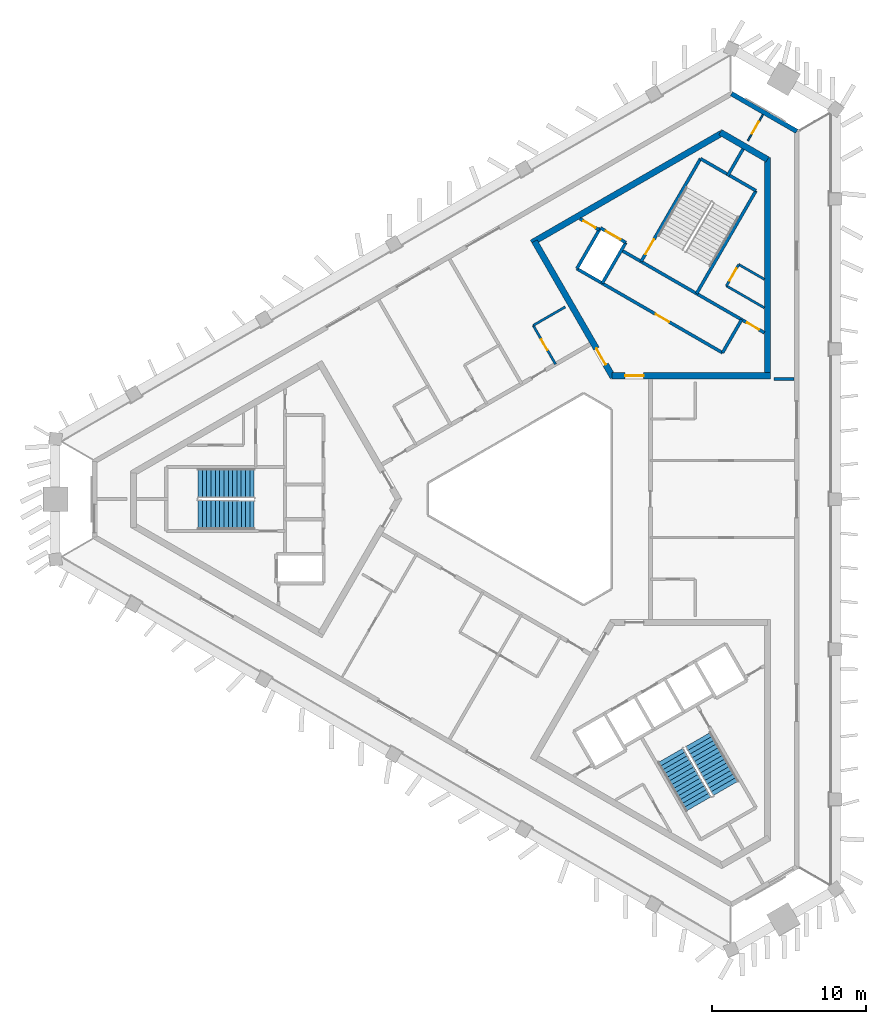
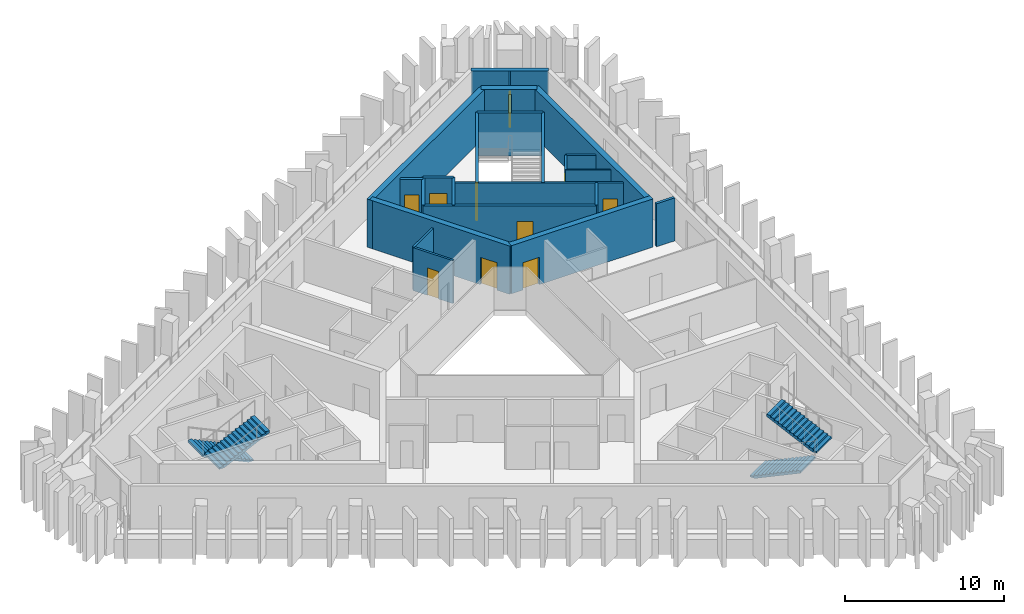
# One storey, part 5 of 9: 24 walls, 10 doors, 4 stair flights, 10 openings, 2 elements without a shape of their own.
"""IFC4 building model written with IfcOpenShell, lengths in metres."""

import ifcopenshell
import ifcopenshell.guid

model = None  # the IFC model being written
_history = None  # IfcOwnerHistory: only IFC2X3 demands one
_inside = {}  # id of a spatial element -> (the spatial element, [elements in it])
_under = {}  # id of a project, library or spatial element -> (it, [spatial elements below it])
_declared = {}  # id of a project -> (the project, [libraries it declares])
_typed = {}  # id of a type object -> (the type object, [elements of that type])
_made_of = {}  # id of a material, layer set ... -> (it, [elements and type objects made of it])


def new_model(schema):
    """Start an empty IFC model of exactly this schema.

    Asked for "IFC4X3", IfcOpenShell would pick the latest addendum, in which some entities
    have other attributes; the version numbers below select the first issue.
    IFC2X3 requires an IfcOwnerHistory on every rooted entity: one is made here for all.
    """
    global model, _history
    if schema == "IFC4X3":
        model = ifcopenshell.file(schema_version=(4, 3, 0, 0))
    else:
        model = ifcopenshell.file(schema=schema)
    _inside.clear()
    _under.clear()
    _declared.clear()
    _typed.clear()
    _made_of.clear()
    _history = None
    if model.schema == "IFC2X3":
        org = make("IfcOrganization", Name="unknown")
        user = make(
            "IfcPersonAndOrganization",
            ThePerson=make("IfcPerson", FamilyName="unknown"),
            TheOrganization=org,
        )
        app = make(
            "IfcApplication",
            ApplicationDeveloper=org,
            Version="unknown",
            ApplicationFullName="unknown",
            ApplicationIdentifier="unknown",
        )
        _history = make(
            "IfcOwnerHistory",
            OwningUser=user,
            OwningApplication=app,
            ChangeAction="ADDED",
            CreationDate=0,
        )
    return model


def make(cls, **values):
    """One entity of the class cls with the attributes given. An attribute that is None is left unset."""
    return model.create_entity(
        cls, **{name: value for name, value in values.items() if value is not None}
    )


def rooted(cls, **values):
    """An entity with a GlobalId (a new one), such as an element, a storey or a relation."""
    return make(cls, GlobalId=ifcopenshell.guid.new(), OwnerHistory=_history, **values)


def si_unit(unit_type, name, prefix=None):
    """IfcSIUnit, for example si_unit("LENGTHUNIT", "METRE", prefix="MILLI")."""
    return make("IfcSIUnit", UnitType=unit_type, Prefix=prefix, Name=name)


def assignment(units):
    """IfcUnitAssignment: the units of a project."""
    return None if units is None else make("IfcUnitAssignment", Units=units)


def point(xyz):
    """IfcCartesianPoint."""
    return None if xyz is None else make("IfcCartesianPoint", Coordinates=xyz)


def direction(xyz):
    """IfcDirection."""
    return None if xyz is None else make("IfcDirection", DirectionRatios=xyz)


def frame(location, z_axis=None, x_axis=None):
    """IfcAxis2Placement3D, a coordinate frame: its origin and axes. An axis left out is left unset."""
    return make(
        "IfcAxis2Placement3D",
        Location=point(location),
        Axis=direction(z_axis),
        RefDirection=direction(x_axis),
    )


def frame_2d(location, x_axis=None):
    """IfcAxis2Placement2D, a coordinate frame in the plane: its origin and x axis."""
    return make(
        "IfcAxis2Placement2D", Location=point(location), RefDirection=direction(x_axis)
    )


def origin():
    """The frame at (0, 0, 0) with its axes left unset."""
    return frame((0.0, 0.0, 0.0))


def place(relative_to, where):
    """IfcLocalPlacement: puts the frame where relative to a parent placement (None: the world)."""
    return make(
        "IfcLocalPlacement", PlacementRelTo=relative_to, RelativePlacement=where
    )


def context(
    kind, dimensions, precision=None, world=None, true_north=None, identifier=None
):
    """IfcGeometricRepresentationContext, for example the 3D "Model" context."""
    return make(
        "IfcGeometricRepresentationContext",
        ContextIdentifier=identifier,
        ContextType=kind,
        CoordinateSpaceDimension=dimensions,
        Precision=precision,
        WorldCoordinateSystem=world,
        TrueNorth=true_north,
    )


def subcontext(parent, identifier, kind, view, scale=None):
    """IfcGeometricRepresentationSubContext, for example "Body" below "Model"."""
    return make(
        "IfcGeometricRepresentationSubContext",
        ContextIdentifier=identifier,
        ContextType=kind,
        ParentContext=parent,
        TargetScale=scale,
        TargetView=view,
    )


def project(units=None, contexts=None):
    """IfcProject with its units and contexts."""
    return rooted(
        "IfcProject",
        Name="project",
        RepresentationContexts=contexts,
        UnitsInContext=assignment(units),
    )


def spatial(cls, under=None, at=None, **own):
    """A site, building, storey or space (cls), placed at a placement, below another one or the project."""
    s = rooted(cls, ObjectPlacement=at, **own)
    if under is not None:
        _under.setdefault(under.id(), (under, []))[1].append(s)
    return s


def polyline(points):
    """IfcPolyline through the points."""
    return make("IfcPolyline", Points=[point(p) for p in points])


def profile(cls, at=None, kind="AREA", **sizes):
    """A parametric profile (cls). Its sizes go by their IFC names, for example OverallWidth=200.0."""
    return make(cls, ProfileType=kind, Position=at, **sizes)


def rectangle(**sizes):
    """IfcRectangleProfileDef."""
    return profile("IfcRectangleProfileDef", **sizes)


def outline(outer, holes=None, kind="AREA"):
    """IfcArbitraryClosedProfileDef: a profile drawn as a closed curve; with holes, ...WithVoids."""
    if holes is None:
        return make("IfcArbitraryClosedProfileDef", ProfileType=kind, OuterCurve=outer)
    return make(
        "IfcArbitraryProfileDefWithVoids",
        ProfileType=kind,
        OuterCurve=outer,
        InnerCurves=holes,
    )


def extrude(swept, where, along, depth):
    """IfcExtrudedAreaSolid: the profile swept, set in the frame where, extruded along a direction by depth."""
    return make(
        "IfcExtrudedAreaSolid",
        SweptArea=swept,
        Position=where,
        ExtrudedDirection=direction(along),
        Depth=depth,
    )


def shape(context_of_items, identifier, shape_type, items):
    """IfcShapeRepresentation: the items that make up one representation, for example the "Body"."""
    return make(
        "IfcShapeRepresentation",
        ContextOfItems=context_of_items,
        RepresentationIdentifier=identifier,
        RepresentationType=shape_type,
        Items=items,
    )


def material(Name=None, Category=None):
    """IfcMaterial."""
    return make("IfcMaterial", Name=Name, Category=Category)


def layer(
    of_material, thickness, ventilated=None, Name=None, Category=None, Priority=None
):
    """IfcMaterialLayer: one layer of a wall or slab, of a material (None: an air gap)."""
    return make(
        "IfcMaterialLayer",
        Material=of_material,
        LayerThickness=thickness,
        IsVentilated=ventilated,
        Name=Name,
        Category=Category,
        Priority=Priority,
    )


def layer_set(layers, Name=None):
    """IfcMaterialLayerSet."""
    return make("IfcMaterialLayerSet", MaterialLayers=layers, LayerSetName=Name)


def made_of(thing, what):
    """Note that an element or type object is made of a material, layer set ...; save() writes the relation."""
    if what is not None:
        _made_of.setdefault(what.id(), (what, []))[1].append(thing)
    return thing


def type_object(cls, material=None, **own):
    """A type object (cls), such as IfcWallType, which elements share."""
    return made_of(rooted(cls, **own), material)


def element(
    cls,
    number,
    at=None,
    inside=None,
    cuts=None,
    type_object=None,
    material=None,
    context=None,
    identifier="Body",
    shape_type=None,
    held_by="IfcProductDefinitionShape",
    body=None,
    shapes=None,
    **own,
):
    """One element of the class cls, such as IfcWall. Its Tag is "e" and its number.

    at: its placement. inside: the storey or other place that contains it. cuts: it is an
    opening in that element (IfcRelVoidsElement). A single representation is given by context,
    identifier, shape_type and body (its items); several are given by shapes. held_by: the class
    of the entity that holds the representations. save() writes the other relations.
    """
    e = rooted(cls, Tag="e%d" % number, ObjectPlacement=at, **own)
    if body is not None:
        shapes = [shape(context, identifier, shape_type, body)]
    if shapes is not None:
        e.Representation = make(held_by, Representations=shapes)
    if inside is not None:
        _inside.setdefault(inside.id(), (inside, []))[1].append(e)
    if cuts is not None:
        rooted(
            "IfcRelVoidsElement", RelatingBuildingElement=cuts, RelatedOpeningElement=e
        )
    if type_object is not None:
        _typed.setdefault(type_object.id(), (type_object, []))[1].append(e)
    return made_of(e, material)


def fill(opening, filler):
    """IfcRelFillsElement: the door or window that sits in an opening."""
    return rooted(
        "IfcRelFillsElement",
        RelatingOpeningElement=opening,
        RelatedBuildingElement=filler,
    )


def aggregate(whole, parts):
    """IfcRelAggregates: a whole, such as a stair, and the parts it consists of."""
    return rooted("IfcRelAggregates", RelatingObject=whole, RelatedObjects=parts)


def save(model, path):
    """Write the relations noted so far, then the file.

    IfcRelAggregates (storeys below a building ...), IfcRelContainedInSpatialStructure (elements
    in a storey), IfcRelDefinesByType, IfcRelAssociatesMaterial and IfcRelDeclares: one each for
    every whole, place, type object, material and project.
    """
    for whole, parts in _under.values():
        aggregate(whole, parts)
    for where, things in _inside.values():
        rooted(
            "IfcRelContainedInSpatialStructure",
            RelatedElements=things,
            RelatingStructure=where,
        )
    for kind, things in _typed.values():
        rooted("IfcRelDefinesByType", RelatedObjects=things, RelatingType=kind)
    for what, things in _made_of.values():
        rooted("IfcRelAssociatesMaterial", RelatedObjects=things, RelatingMaterial=what)
    for by, libraries in _declared.values():
        rooted("IfcRelDeclares", RelatingContext=by, RelatedDefinitions=libraries)
    model.write(path)


model = new_model("IFC4")

# Units and contexts
model_context = context("Model", 3, precision=1e-05, world=origin(), true_north=direction((0.0, 1.0)))
body_context = subcontext(model_context, "Body", "Model", "MODEL_VIEW")
ifc_project = project(units=[si_unit("LENGTHUNIT", "METRE"), si_unit("AREAUNIT", "SQUARE_METRE"), si_unit("VOLUMEUNIT", "CUBIC_METRE"), si_unit("PLANEANGLEUNIT", "RADIAN"), si_unit("MASSUNIT", "GRAM", prefix="KILO")], contexts=[model_context])

# Site, building, storey
site_placement = place(None, origin())
site = spatial("IfcSite", under=ifc_project, at=site_placement, CompositionType="ELEMENT")
building_placement = place(site_placement, origin())
building = spatial("IfcBuilding", under=site, at=building_placement, Name="Jabali Bay Hotel Tower and Convention Centre", CompositionType="ELEMENT")
storey_placement = place(building_placement, frame((0.0, 0.0, 273.800048828125)))
storey = spatial("IfcBuildingStorey", under=building, at=storey_placement, Name="L67", CompositionType="ELEMENT", Elevation=273.800048828125)

# Wall
ifc_material_1 = material(Name="Concrete C40", Category="concrete")
ifc_layer_1 = layer(ifc_material_1, 0.199951171875)
ifc_layer_set_1 = layer_set([ifc_layer_1], Name="Concrete C40")
wall_type_1 = type_object("IfcWallType", Name="Core partition wall 200", PredefinedType="PARTITIONING", material=ifc_layer_set_1)
wall_1_placement = place(storey_placement, frame((87.090087890625, 100.9404296875, 0.0), z_axis=(0.0, 0.0, 1.0), x_axis=(0.499941815747, 0.866058993873, 0.0)))
element("IfcWall", 1, at=wall_1_placement, inside=storey, type_object=wall_type_1, Name="Core wall 1.3 L67", PredefinedType="PARTITIONING", context=body_context, shape_type="SweptSolid", body=[
    extrude(rectangle(XDim=2.023193359375, YDim=0.199951171875, at=frame_2d((1.01171875, 0.0))), origin(), (0.0, 0.0, 1.0), 3.300048828125),
])

# Wall, opening, door
wall_2_placement = place(storey_placement, frame((78.7802734375, 97.447509765625, 0.0), z_axis=(0.0, 0.0, 1.0), x_axis=(-0.866045896294, 0.499964504253, 0.0)))
wall_2 = element("IfcWall", 2, at=wall_2_placement, inside=storey, type_object=wall_type_1, Name="Core wall 1.9 L67", PredefinedType="PARTITIONING", context=body_context, shape_type="SweptSolid", body=[
    extrude(rectangle(XDim=1.455078125, YDim=0.199951171875, at=frame_2d((0.7275390625, 0.0))), origin(), (0.0, 0.0, 1.0), 3.300048828125),
])
opening_1_placement = place(wall_2_placement, frame((0.277587890625, 0.0, 0.0)))
opening_1 = element("IfcOpeningElement", 3, at=opening_1_placement, cuts=wall_2, Name="Opening D1481", PredefinedType="OPENING", context=body_context, shape_type="SweptSolid", body=[
    extrude(rectangle(XDim=0.89990234375, YDim=2.10009765625, at=frame_2d((0.449951171875, 1.050048828125))), frame((0.0, 0.1103515625, 0.0), z_axis=(0.0, -1.0, 0.0), x_axis=(1.0, 0.0, 0.0)), (0.0, 0.0, 1.0), 0.220947265625),
])
ifc_material_2 = material(Name="Fire-rated steel door", Category="steel")
door_type_1 = type_object("IfcDoorType", Name="Vestibule fire door 900 x 2100", OperationType="NOTDEFINED", PredefinedType="NOTDEFINED", material=ifc_material_2)
door_1_placement = place(opening_1_placement, origin())
door_1 = element("IfcDoor", 4, at=door_1_placement, inside=storey, type_object=door_type_1, Name="Vestibule fire door D1481", OperationType="SINGLE_SWING_LEFT", OverallHeight=2.10009765625, OverallWidth=0.89990234375, PredefinedType="NOTDEFINED", context=body_context, shape_type="SweptSolid", body=[
    extrude(rectangle(XDim=0.89990234375, YDim=2.10009765625, at=frame_2d((0.449951171875, 1.050048828125))), frame((0.0, 0.02490234375, 0.0), z_axis=(0.0, -1.0, 0.0), x_axis=(1.0, 0.0, 0.0)), (0.0, 0.0, 1.0), 0.050048828125),
])
fill(opening_1, door_1)

ifc_material_3 = material(Name="Fire-rated board partition")
ifc_layer_2 = layer(ifc_material_3, 0.14990234375)
ifc_layer_set_2 = layer_set([ifc_layer_2], Name="Fire-rated board partition")
wall_type_2 = type_object("IfcWallType", Name="Core room partition 150", PredefinedType="PARTITIONING", material=ifc_layer_set_2)
wall_3_placement = place(storey_placement, frame((87.02099609375, 93.821044921875, 0.0), z_axis=(0.0, 0.0, 1.0), x_axis=(0.499995408039, 0.866028054938, 0.0)))
wall_3 = element("IfcWall", 5, at=wall_3_placement, inside=storey, type_object=wall_type_2, Name="Core wall 1.1 L67", PredefinedType="PARTITIONING", context=body_context, shape_type="SweptSolid", body=[
    extrude(rectangle(XDim=1.60009765625, YDim=0.14990234375, at=frame_2d((0.800048828125, 0.0))), origin(), (0.0, 0.0, 1.0), 3.300048828125),
])
opening_2_placement = place(wall_3_placement, frame((0.387451171875, 0.0, 0.0)))
opening_2 = element("IfcOpeningElement", 6, at=opening_2_placement, cuts=wall_3, Name="Opening D1484", PredefinedType="OPENING", context=body_context, shape_type="SweptSolid", body=[
    extrude(rectangle(XDim=0.89990234375, YDim=2.10009765625, at=frame_2d((0.449951171875, 1.050048828125))), frame((0.0, 0.08544921875, 0.0), z_axis=(0.0, -1.0, 0.0), x_axis=(1.0, 0.0, 0.0)), (0.0, 0.0, 1.0), 0.1708984375),
])
door_type_2 = type_object("IfcDoorType", Name="Core room door 900 x 2100", OperationType="NOTDEFINED", PredefinedType="NOTDEFINED", material=ifc_material_2)
door_2_placement = place(opening_2_placement, origin())
door_2 = element("IfcDoor", 7, at=door_2_placement, inside=storey, type_object=door_type_2, Name="Core room door D1484", OperationType="SINGLE_SWING_LEFT", OverallHeight=2.10009765625, OverallWidth=0.89990234375, PredefinedType="NOTDEFINED", context=body_context, shape_type="SweptSolid", body=[
    extrude(rectangle(XDim=0.89990234375, YDim=2.10009765625, at=frame_2d((0.449951171875, 1.050048828125))), frame((0.0, 0.02490234375, 0.0), z_axis=(0.0, -1.0, 0.0), x_axis=(1.0, 0.0, 0.0)), (0.0, 0.0, 1.0), 0.050048828125),
])
fill(opening_2, door_2)

# Walls
wall_4_placement = place(storey_placement, frame((89.47998046875, 92.4013671875, 0.0), z_axis=(0.0, 0.0, 1.0), x_axis=(-0.866028081176, 0.499995362593, 0.0)))
element("IfcWall", 8, at=wall_4_placement, inside=storey, type_object=wall_type_2, Name="Core wall 1.11 L67", PredefinedType="PARTITIONING", context=body_context, shape_type="SweptSolid", body=[
    extrude(rectangle(XDim=2.83935546875, YDim=0.14990234375, at=frame_2d((1.419677734375, 0.0))), origin(), (0.0, 0.0, 1.0), 3.300048828125),
])
wall_5_placement = place(storey_placement, frame((89.47998046875, 94.2490234375, 0.0), z_axis=(0.0, 0.0, 1.0), x_axis=(-0.866030650962, 0.499990911512, 0.0)))
element("IfcWall", 9, at=wall_5_placement, inside=storey, type_object=wall_type_2, Name="Core wall 1.12 L67", PredefinedType="PARTITIONING", context=body_context, shape_type="SweptSolid", body=[
    extrude(rectangle(XDim=1.91552734375, YDim=0.14990234375, at=frame_2d((0.957763671875, 0.0))), origin(), (0.0, 0.0, 1.0), 3.300048828125),
])
ifc_layer_3 = layer(ifc_material_1, 0.199951171875)
ifc_layer_set_3 = layer_set([ifc_layer_3], Name="Concrete C40")
wall_type_3 = type_object("IfcWallType", Name="Core stair wall 200", PredefinedType="SOLIDWALL", material=ifc_layer_set_3)
wall_6_placement = place(storey_placement, frame((86.769775390625, 89.48583984375, 0.0), z_axis=(0.0, 0.0, 1.0), x_axis=(0.499961042966, 0.86604789447, 0.0)))
element("IfcWall", 10, at=wall_6_placement, inside=storey, type_object=wall_type_3, Name="Core wall 1.0 L67", PredefinedType="SOLIDWALL", context=body_context, shape_type="SweptSolid", body=[
    extrude(rectangle(XDim=2.480224609375, YDim=0.199951171875, at=frame_2d((1.240234375, 0.0))), origin(), (0.0, 0.0, 1.0), 3.300048828125),
])
wall_7_placement = place(storey_placement, frame((85.0869140625, 93.3212890625, 0.0), z_axis=(0.0, 0.0, 1.0), x_axis=(0.500019787375, 0.866013979237, 0.0)))
element("IfcWall", 11, at=wall_7_placement, inside=storey, type_object=wall_type_3, Name="Core wall 1.2 L67", PredefinedType="SOLIDWALL", context=body_context, shape_type="SweptSolid", body=[
    extrude(rectangle(XDim=7.699951171875, YDim=0.199951171875, at=frame_2d((3.85009765625, 0.0))), origin(), (0.0, 0.0, 1.0), 3.300048828125),
])

# Wall, opening, door
wall_8_placement = place(storey_placement, frame((81.492919921875, 95.396240234375, 0.0), z_axis=(0.0, 0.0, 1.0), x_axis=(0.500006057782, 0.866021906294, 0.0)))
wall_8 = element("IfcWall", 12, at=wall_8_placement, inside=storey, type_object=wall_type_3, Name="Core wall 1.4 L67", PredefinedType="SOLIDWALL", context=body_context, shape_type="SweptSolid", body=[
    extrude(rectangle(XDim=7.7001953125, YDim=0.199951171875, at=frame_2d((3.85009765625, 0.0))), origin(), (0.0, 0.0, 1.0), 3.300048828125),
])
opening_3_placement = place(wall_8_placement, frame((0.550048828125, 0.0, 0.0)))
opening_3 = element("IfcOpeningElement", 13, at=opening_3_placement, cuts=wall_8, Name="Opening D1483", PredefinedType="OPENING", context=body_context, shape_type="SweptSolid", body=[
    extrude(rectangle(XDim=1.10009765625, YDim=2.10009765625, at=frame_2d((0.550048828125, 1.050048828125))), frame((0.0, 0.1103515625, 0.0), z_axis=(0.0, -1.0, 0.0), x_axis=(1.0, 0.0, 0.0)), (0.0, 0.0, 1.0), 0.220947265625),
])
door_type_3 = type_object("IfcDoorType", Name="Stair fire door 1100 x 2100", OperationType="NOTDEFINED", PredefinedType="NOTDEFINED", material=ifc_material_2)
door_3_placement = place(opening_3_placement, origin())
door_3 = element("IfcDoor", 14, at=door_3_placement, inside=storey, type_object=door_type_3, Name="Stair fire door D1483", OperationType="SINGLE_SWING_RIGHT", OverallHeight=2.10009765625, OverallWidth=1.10009765625, PredefinedType="NOTDEFINED", context=body_context, shape_type="SweptSolid", body=[
    extrude(rectangle(XDim=1.10009765625, YDim=2.10009765625, at=frame_2d((0.550048828125, 1.050048828125))), frame((0.0, 0.02490234375, 0.0), z_axis=(0.0, -1.0, 0.0), x_axis=(1.0, 0.0, 0.0)), (0.0, 0.0, 1.0), 0.050048828125),
])
fill(opening_3, door_3)

# Walls
for number, where, z_axis, x_axis, name in (
    (15, (78.9755859375, 93.98583984375, 0.0), (0.0, 0.0, 1.0), (0.499944174705, 0.866057632134, 0.0), "Core wall 1.5 L67"),
    (16, (77.330078125, 94.93603515625, 0.0), (0.0, 0.0, 1.0), (0.500038867431, 0.8660029625, 0.0), "Core wall 1.6 L67"),
):
    element("IfcWall", number, at=place(storey_placement, frame(where, z_axis=z_axis, x_axis=x_axis)), inside=storey, type_object=wall_type_3, Name=name, PredefinedType="SOLIDWALL", context=body_context, shape_type="SweptSolid", body=[
        extrude(rectangle(XDim=3.050048828125, YDim=0.199951171875, at=frame_2d((1.52490234375, 0.0))), origin(), (0.0, 0.0, 1.0), 3.300048828125),
    ])

# Wall, opening, door
wall_9_placement = place(storey_placement, frame((86.769775390625, 89.48583984375, 0.0), z_axis=(0.0, 0.0, 1.0), x_axis=(-0.86601811187, 0.500012629753, 0.0)))
wall_9 = element("IfcWall", 17, at=wall_9_placement, inside=storey, type_object=wall_type_3, Name="Core wall 1.7 L67", PredefinedType="SOLIDWALL", context=body_context, shape_type="SweptSolid", body=[
    extrude(rectangle(XDim=10.900146484375, YDim=0.199951171875, at=frame_2d((5.4501953125, 0.0))), origin(), (0.0, 0.0, 1.0), 3.300048828125),
])
opening_4_placement = place(wall_9_placement, frame((4.0, 0.0, 0.0)))
opening_4 = element("IfcOpeningElement", 18, at=opening_4_placement, cuts=wall_9, Name="Opening D1480", PredefinedType="OPENING", context=body_context, shape_type="SweptSolid", body=[
    extrude(rectangle(XDim=1.0, YDim=2.10009765625, at=frame_2d((0.5, 1.050048828125))), frame((0.0, 0.1103515625, 0.0), z_axis=(0.0, -1.0, 0.0), x_axis=(1.0, 0.0, 0.0)), (0.0, 0.0, 1.0), 0.220947265625),
])
door_type_4 = type_object("IfcDoorType", Name="Core room door 1000 x 2100", OperationType="NOTDEFINED", PredefinedType="NOTDEFINED", material=ifc_material_2)
door_4_placement = place(opening_4_placement, origin())
door_4 = element("IfcDoor", 19, at=door_4_placement, inside=storey, type_object=door_type_4, Name="Core room door D1480", OperationType="SINGLE_SWING_RIGHT", OverallHeight=2.10009765625, OverallWidth=1.0, PredefinedType="NOTDEFINED", context=body_context, shape_type="SweptSolid", body=[
    extrude(rectangle(XDim=1.0, YDim=2.10009765625, at=frame_2d((0.5, 1.050048828125))), frame((0.0, 0.02490234375, 0.0), z_axis=(0.0, -1.0, 0.0), x_axis=(1.0, 0.0, 0.0)), (0.0, 0.0, 1.0), 0.050048828125),
])
fill(opening_4, door_4)

wall_10_placement = place(storey_placement, frame((89.47998046875, 90.784912109375, 0.0), z_axis=(0.0, 0.0, 1.0), x_axis=(-0.866022544512, 0.500004952373, 0.0)))
wall_10 = element("IfcWall", 20, at=wall_10_placement, inside=storey, type_object=wall_type_3, Name="Core wall 1.8 L67", PredefinedType="SOLIDWALL", context=body_context, shape_type="SweptSolid", body=[
    extrude(rectangle(XDim=10.69775390625, YDim=0.199951171875, at=frame_2d((5.348876953125, 0.0))), origin(), (0.0, 0.0, 1.0), 3.300048828125),
])
opening_5_placement = place(wall_10_placement, frame((0.398681640625, 0.0, 0.0)))
opening_5 = element("IfcOpeningElement", 21, at=opening_5_placement, cuts=wall_10, Name="Opening D1482", PredefinedType="OPENING", context=body_context, shape_type="SweptSolid", body=[
    extrude(rectangle(XDim=0.89990234375, YDim=2.10009765625, at=frame_2d((0.449951171875, 1.050048828125))), frame((0.0, 0.1103515625, 0.0), z_axis=(0.0, -1.0, 0.0), x_axis=(1.0, 0.0, 0.0)), (0.0, 0.0, 1.0), 0.220947265625),
])
door_5_placement = place(opening_5_placement, origin())
door_5 = element("IfcDoor", 22, at=door_5_placement, inside=storey, type_object=door_type_1, Name="Vestibule fire door D1482", OperationType="SINGLE_SWING_LEFT", OverallHeight=2.10009765625, OverallWidth=0.89990234375, PredefinedType="NOTDEFINED", context=body_context, shape_type="SweptSolid", body=[
    extrude(rectangle(XDim=0.89990234375, YDim=2.10009765625, at=frame_2d((0.449951171875, 1.050048828125))), frame((0.0, 0.02490234375, 0.0), z_axis=(0.0, -1.0, 0.0), x_axis=(1.0, 0.0, 0.0)), (0.0, 0.0, 1.0), 0.050048828125),
])
fill(opening_5, door_5)

wall_11_placement = place(storey_placement, frame((80.50048828125, 96.62744140625, 0.0), z_axis=(0.0, 0.0, 1.0), x_axis=(-0.86601224135, 0.500022797313, 0.0)))
wall_11 = element("IfcWall", 23, at=wall_11_placement, inside=storey, type_object=wall_type_3, Name="Core wall 1.10 L67", PredefinedType="SOLIDWALL", context=body_context, shape_type="SweptSolid", body=[
    extrude(rectangle(XDim=1.89990234375, YDim=0.199951171875, at=frame_2d((0.949951171875, 0.0))), origin(), (0.0, 0.0, 1.0), 3.300048828125),
])
opening_6_placement = place(wall_11_placement, frame((0.39990234375, 0.0, 0.0)))
opening_6 = element("IfcOpeningElement", 24, at=opening_6_placement, cuts=wall_11, Name="Opening LD10-L67", PredefinedType="OPENING", context=body_context, shape_type="SweptSolid", body=[
    extrude(rectangle(XDim=1.10009765625, YDim=2.10009765625, at=frame_2d((0.550048828125, 1.050048828125))), frame((0.0, 0.1103515625, 0.0), z_axis=(0.0, -1.0, 0.0), x_axis=(1.0, 0.0, 0.0)), (0.0, 0.0, 1.0), 0.220947265625),
])
ifc_material_4 = material(Name="Stainless steel landing door", Category="steel")
door_type_5 = type_object("IfcDoorType", Name="Landing door 1100 x 2100", OperationType="NOTDEFINED", PredefinedType="NOTDEFINED", material=ifc_material_4)
door_6_placement = place(opening_6_placement, origin())
door_6 = element("IfcDoor", 25, at=door_6_placement, inside=storey, type_object=door_type_5, Name="Landing doors LD10-L67", OperationType="SLIDING_TO_RIGHT", OverallHeight=2.10009765625, OverallWidth=1.10009765625, PredefinedType="NOTDEFINED", context=body_context, shape_type="SweptSolid", body=[
    extrude(rectangle(XDim=1.10009765625, YDim=2.10009765625, at=frame_2d((0.550048828125, 1.050048828125))), frame((0.0, 0.02490234375, 0.0), z_axis=(0.0, -1.0, 0.0), x_axis=(1.0, 0.0, 0.0)), (0.0, 0.0, 1.0), 0.050048828125),
])
fill(opening_6, door_6)

# Wall
wall_12_placement = place(storey_placement, frame((88.93701171875, 99.989501953125, 0.0), z_axis=(0.0, 0.0, 1.0), x_axis=(-0.866004344652, 0.500036473714, 0.0)))
element("IfcWall", 26, at=wall_12_placement, inside=storey, type_object=wall_type_3, Name="Core wall 1.13 L67", PredefinedType="SOLIDWALL", context=body_context, shape_type="SweptSolid", body=[
    extrude(rectangle(XDim=4.150146484375, YDim=0.199951171875, at=frame_2d((2.0751953125, 0.0))), origin(), (0.0, 0.0, 1.0), 3.300048828125),
])

# Wall, opening, door
ifc_material_5 = material(Name="Concrete C60", Category="concrete")
ifc_layer_4 = layer(ifc_material_5, 0.39990234375)
ifc_layer_set_4 = layer_set([ifc_layer_4], Name="Concrete C60")
wall_type_4 = type_object("IfcWallType", Name="Core wall 400", PredefinedType="SHEAR", material=ifc_layer_set_4)
wall_13_placement = place(storey_placement, frame((79.615478515625, 87.994140625, 0.0), z_axis=(0.0, 0.0, 1.0), x_axis=(1.0, 0.0, 0.0)))
wall_13 = element("IfcWall", 27, at=wall_13_placement, inside=storey, type_object=wall_type_4, Name="Core wall 2.1 L67", PredefinedType="SHEAR", context=body_context, shape_type="SweptSolid", body=[
    extrude(rectangle(XDim=10.264404296875, YDim=0.39990234375, at=frame_2d((5.13232421875, 0.0))), origin(), (0.0, 0.0, 1.0), 3.699951171875),
])
opening_7_placement = place(wall_13_placement, frame((0.83447265625, 0.0, 0.0)))
opening_7 = element("IfcOpeningElement", 28, at=opening_7_placement, cuts=wall_13, Name="Opening D1478", PredefinedType="OPENING", context=body_context, shape_type="SweptSolid", body=[
    extrude(rectangle(XDim=1.199951171875, YDim=2.10009765625, at=frame_2d((0.60009765625, 1.050048828125))), frame((0.0, 0.21044921875, 0.0), z_axis=(0.0, -1.0, 0.0), x_axis=(1.0, 0.0, 0.0)), (0.0, 0.0, 1.0), 0.4208984375),
])
door_type_6 = type_object("IfcDoorType", Name="Corridor end fire door 1200 x 2100", OperationType="NOTDEFINED", PredefinedType="NOTDEFINED", material=ifc_material_2)
door_7_placement = place(opening_7_placement, origin())
door_7 = element("IfcDoor", 29, at=door_7_placement, inside=storey, type_object=door_type_6, Name="Corridor end fire door D1478", OperationType="SINGLE_SWING_RIGHT", OverallHeight=2.10009765625, OverallWidth=1.199951171875, PredefinedType="NOTDEFINED", context=body_context, shape_type="SweptSolid", body=[
    extrude(rectangle(XDim=1.199951171875, YDim=2.10009765625, at=frame_2d((0.60009765625, 1.050048828125))), frame((0.0, 0.02490234375, 0.0), z_axis=(0.0, -1.0, 0.0), x_axis=(1.0, 0.0, 0.0)), (0.0, 0.0, 1.0), 0.050048828125),
])
fill(opening_7, door_7)

# Walls
wall_14_placement = place(storey_placement, frame((89.679931640625, 87.994140625, 0.0), z_axis=(0.0, 0.0, 1.0), x_axis=(0.0, 1.0, 0.0)))
element("IfcWall", 30, at=wall_14_placement, inside=storey, type_object=wall_type_4, Name="Core wall 2.2 L67", PredefinedType="SHEAR", context=body_context, shape_type="SweptSolid", body=[
    extrude(rectangle(XDim=14.133544921875, YDim=0.39990234375, at=frame_2d((7.06689453125, 0.0))), origin(), (0.0, 0.0, 1.0), 3.699951171875),
])
wall_15_placement = place(storey_placement, frame((89.679931640625, 102.01220703125, 0.0), z_axis=(0.0, 0.0, 1.0), x_axis=(-0.866025485263, 0.499999858875, 0.0)))
element("IfcWall", 31, at=wall_15_placement, inside=storey, type_object=wall_type_4, Name="Core wall 2.3 L67", PredefinedType="SHEAR", context=body_context, shape_type="SweptSolid", body=[
    extrude(rectangle(XDim=3.52978515625, YDim=0.39990234375, at=frame_2d((1.764892578125, 0.0))), origin(), (0.0, 0.0, 1.0), 3.699951171875),
])
wall_16_placement = place(storey_placement, frame((86.72314453125, 103.71923828125, 0.0), z_axis=(0.0, 0.0, 1.0), x_axis=(-0.866030317223, -0.499991489579, 0.0)))
element("IfcWall", 32, at=wall_16_placement, inside=storey, type_object=wall_type_4, Name="Core wall 2.4 L67", PredefinedType="SHEAR", context=body_context, shape_type="SweptSolid", body=[
    extrude(rectangle(XDim=14.218017578125, YDim=0.39990234375, at=frame_2d((7.10888671875, 0.0))), origin(), (0.0, 0.0, 1.0), 3.699951171875),
])

# Wall, opening, door
wall_17_placement = place(storey_placement, frame((74.583251953125, 96.71044921875, 0.0), z_axis=(0.0, 0.0, 1.0), x_axis=(0.499987488796, -0.866032627011, 0.0)))
wall_17 = element("IfcWall", 33, at=wall_17_placement, inside=storey, type_object=wall_type_4, Name="Core wall 2.5 L67", PredefinedType="SHEAR", context=body_context, shape_type="SweptSolid", body=[
    extrude(rectangle(XDim=10.179931640625, YDim=0.39990234375, at=frame_2d((5.08984375, 0.0))), origin(), (0.0, 0.0, 1.0), 3.699951171875),
])
opening_8_placement = place(wall_17_placement, frame((8.030029296875, 0.0, 0.0)))
opening_8 = element("IfcOpeningElement", 34, at=opening_8_placement, cuts=wall_17, Name="Opening D1479", PredefinedType="OPENING", context=body_context, shape_type="SweptSolid", body=[
    extrude(rectangle(XDim=1.199951171875, YDim=2.10009765625, at=frame_2d((0.60009765625, 1.050048828125))), frame((0.0, 0.21044921875, 0.0), z_axis=(0.0, -1.0, 0.0), x_axis=(1.0, 0.0, 0.0)), (0.0, 0.0, 1.0), 0.4208984375),
])
door_8_placement = place(opening_8_placement, origin())
door_8 = element("IfcDoor", 35, at=door_8_placement, inside=storey, type_object=door_type_6, Name="Corridor end fire door D1479", OperationType="SINGLE_SWING_LEFT", OverallHeight=2.10009765625, OverallWidth=1.199951171875, PredefinedType="NOTDEFINED", context=body_context, shape_type="SweptSolid", body=[
    extrude(rectangle(XDim=1.199951171875, YDim=2.10009765625, at=frame_2d((0.60009765625, 1.050048828125))), frame((0.0, 0.02490234375, 0.0), z_axis=(0.0, -1.0, 0.0), x_axis=(1.0, 0.0, 0.0)), (0.0, 0.0, 1.0), 0.050048828125),
])
fill(opening_8, door_8)

# Wall
ifc_layer_5 = layer(ifc_material_1, 0.300048828125)
ifc_layer_set_5 = layer_set([ifc_layer_5], Name="Concrete C40")
wall_type_5 = type_object("IfcWallType", Name="External wall 300", PredefinedType="SOLIDWALL", material=ifc_layer_set_5)
wall_18_placement = place(storey_placement, frame((87.354736328125, 106.275634765625, 0.0), z_axis=(0.0, 0.0, 1.0), x_axis=(0.866003832159, -0.50003736129, 0.0)))
element("IfcWall", 36, at=wall_18_placement, inside=storey, type_object=wall_type_5, Name="External wall north-east chamfer L67", PredefinedType="SOLIDWALL", context=body_context, shape_type="SweptSolid", body=[
    extrude(rectangle(XDim=4.876708984375, YDim=0.300048828125, at=frame_2d((2.4384765625, 0.0))), origin(), (0.0, 0.0, 1.0), 3.300048828125),
])

# Wall, opening, door
ifc_material_6 = material(Name="Plasterboard on steel stud", Category="steel")
ifc_layer_6 = layer(ifc_material_6, 0.10009765625)
ifc_layer_set_6 = layer_set([ifc_layer_6], Name="Plasterboard on steel stud")
wall_type_6 = type_object("IfcWallType", Name="Partition 100 unit", PredefinedType="PARTITIONING", material=ifc_layer_set_6)
wall_19_placement = place(storey_placement, frame((88.41162109375, 103.2294921875, 0.0), z_axis=(0.0, 0.0, 1.0), x_axis=(0.49998396455, 0.866034661658, 0.0)))
wall_19 = element("IfcWall", 37, at=wall_19_placement, inside=storey, type_object=wall_type_6, Name="Partition P02 L67 012", PredefinedType="PARTITIONING", context=body_context, shape_type="SweptSolid", body=[
    extrude(rectangle(XDim=1.939453125, YDim=0.10009765625, at=frame_2d((0.9697265625, 0.0))), origin(), (0.0, 0.0, 1.0), 3.300048828125),
])
opening_9_placement = place(wall_19_placement, frame((0.52001953125, 0.0, 0.0)))
opening_9 = element("IfcOpeningElement", 38, at=opening_9_placement, cuts=wall_19, Name="Opening 6718", PredefinedType="OPENING", context=body_context, shape_type="SweptSolid", body=[
    extrude(rectangle(XDim=0.89990234375, YDim=2.10009765625, at=frame_2d((0.449951171875, 1.050048828125))), frame((0.0, 0.060546875, 0.0), z_axis=(0.0, -1.0, 0.0), x_axis=(1.0, 0.0, 0.0)), (0.0, 0.0, 1.0), 0.12109375),
])
ifc_material_7 = material(Name="Timber", Category="wood")
door_type_7 = type_object("IfcDoorType", Name="Internal door 900 x 2100", OperationType="NOTDEFINED", PredefinedType="NOTDEFINED", material=ifc_material_7)
door_9_placement = place(opening_9_placement, origin())
door_9 = element("IfcDoor", 39, at=door_9_placement, inside=storey, type_object=door_type_7, Name="Door 6718", OperationType="SINGLE_SWING_RIGHT", OverallHeight=2.10009765625, OverallWidth=0.89990234375, PredefinedType="NOTDEFINED", context=body_context, shape_type="SweptSolid", body=[
    extrude(rectangle(XDim=0.89990234375, YDim=2.10009765625, at=frame_2d((0.449951171875, 1.050048828125))), frame((0.0, 0.02490234375, 0.0), z_axis=(0.0, -1.0, 0.0), x_axis=(1.0, 0.0, 0.0)), (0.0, 0.0, 1.0), 0.050048828125),
])
fill(opening_9, door_9)

ifc_layer_7 = layer(ifc_material_6, 0.14990234375)
ifc_layer_set_7 = layer_set([ifc_layer_7], Name="Plasterboard on steel stud")
wall_type_7 = type_object("IfcWallType", Name="Partition 150 wet", PredefinedType="PARTITIONING", material=ifc_layer_set_7)
wall_20_placement = place(storey_placement, frame((75.9482421875, 88.745849609375, 0.0), z_axis=(0.0, 0.0, 1.0), x_axis=(-0.499987231761, 0.866032775405, 0.0)))
wall_20 = element("IfcWall", 40, at=wall_20_placement, inside=storey, type_object=wall_type_7, Name="Partition P03 L67 009", PredefinedType="PARTITIONING", context=body_context, shape_type="SweptSolid", body=[
    extrude(rectangle(XDim=2.89990234375, YDim=0.14990234375, at=frame_2d((1.449951171875, 0.0))), origin(), (0.0, 0.0, 1.0), 3.300048828125),
])
opening_10_placement = place(wall_20_placement, frame((1.050048828125, 0.0, 0.0)))
opening_10 = element("IfcOpeningElement", 41, at=opening_10_placement, cuts=wall_20, Name="Opening 6706", PredefinedType="OPENING", context=body_context, shape_type="SweptSolid", body=[
    extrude(rectangle(XDim=0.800048828125, YDim=2.10009765625, at=frame_2d((0.39990234375, 1.050048828125))), frame((0.0, 0.08544921875, 0.0), z_axis=(0.0, -1.0, 0.0), x_axis=(1.0, 0.0, 0.0)), (0.0, 0.0, 1.0), 0.1708984375),
])
door_type_8 = type_object("IfcDoorType", Name="En-suite door 800 x 2100", OperationType="NOTDEFINED", PredefinedType="NOTDEFINED", material=ifc_material_7)
door_10_placement = place(opening_10_placement, origin())
door_10 = element("IfcDoor", 42, at=door_10_placement, inside=storey, type_object=door_type_8, Name="Door 6706", OperationType="SINGLE_SWING_RIGHT", OverallHeight=2.10009765625, OverallWidth=0.800048828125, PredefinedType="NOTDEFINED", context=body_context, shape_type="SweptSolid", body=[
    extrude(rectangle(XDim=0.800048828125, YDim=2.10009765625, at=frame_2d((0.39990234375, 1.050048828125))), frame((0.0, 0.02490234375, 0.0), z_axis=(0.0, -1.0, 0.0), x_axis=(1.0, 0.0, 0.0)), (0.0, 0.0, 1.0), 0.050048828125),
])
fill(opening_10, door_10)

# Walls
wall_21_placement = place(storey_placement, frame((74.498291015625, 91.25732421875, 0.0), z_axis=(0.0, 0.0, 1.0), x_axis=(0.866038271014, 0.499977712642, 0.0)))
element("IfcWall", 43, at=wall_21_placement, inside=storey, type_object=wall_type_7, Name="Partition P03 L67 010", PredefinedType="PARTITIONING", context=body_context, shape_type="SweptSolid", body=[
    extrude(rectangle(XDim=2.40087890625, YDim=0.14990234375, at=frame_2d((1.200439453125, 0.0))), origin(), (0.0, 0.0, 1.0), 3.300048828125),
])
ifc_layer_8 = layer(ifc_material_6, 0.199951171875)
ifc_layer_set_8 = layer_set([ifc_layer_8], Name="Plasterboard on steel stud")
wall_type_8 = type_object("IfcWallType", Name="Partition 200 party", PredefinedType="PARTITIONING", material=ifc_layer_set_8)
wall_22_placement = place(storey_placement, frame((91.407958984375, 87.794189453125, 0.0), z_axis=(0.0, 0.0, 1.0), x_axis=(-1.0, 0.0, 0.0)))
element("IfcWall", 44, at=wall_22_placement, inside=storey, type_object=wall_type_8, Name="Partition P01 L67 008", PredefinedType="PARTITIONING", context=body_context, shape_type="SweptSolid", body=[
    extrude(rectangle(XDim=1.307861328125, YDim=0.199951171875, at=frame_2d((0.65380859375, 0.0))), origin(), (0.0, 0.0, 1.0), 3.300048828125),
])

# Stair, stair flights
stair_type = type_object("IfcStairType", Name="Exit stair 1900", PredefinedType="HALF_TURN_STAIR", material=ifc_material_1)
stair_1_placement = place(storey_placement, origin())
stair_1 = element("IfcStair", 45, at=stair_1_placement, inside=storey, type_object=stair_type, Name="L67 Exit Stair 1", PredefinedType="HALF_TURN_STAIR")
stair_flight_type = type_object("IfcStairFlightType", Name="Stair flight concrete 150", PredefinedType="STRAIGHT", material=ifc_material_1)
stair_flight_1_placement = place(storey_placement, frame((56.419921875, 81.02490234375, 0.0), z_axis=(0.0, 0.0, 1.0), x_axis=(-1.0, 0.0, 0.0)))
stair_flight_1 = element("IfcStairFlight", 46, at=stair_flight_1_placement, type_object=stair_flight_type, Name="ST1 flight 1", NumberOfRisers=14, NumberOfTreads=13, PredefinedType="STRAIGHT", RiserHeight=0.132142857, TreadLength=0.28, context=body_context, shape_type="SweptSolid", body=[
    extrude(outline(polyline([(0.0, 0.0), (0.0, 0.132080078125), (0.280029296875, 0.132080078125), (0.280029296875, 0.264404296875), (0.56005859375, 0.264404296875), (0.56005859375, 0.396484375), (0.840087890625, 0.396484375), (0.840087890625, 0.528564453125), (1.1201171875, 0.528564453125), (1.1201171875, 0.66064453125), (1.39990234375, 0.66064453125), (1.39990234375, 0.79296875), (1.679931640625, 0.79296875), (1.679931640625, 0.925048828125), (1.9599609375, 0.925048828125), (1.9599609375, 1.05712890625), (2.239990234375, 1.05712890625), (2.239990234375, 1.189208984375), (2.52001953125, 1.189208984375), (2.52001953125, 1.321533203125), (2.800048828125, 1.321533203125), (2.800048828125, 1.45361328125), (3.080078125, 1.45361328125), (3.080078125, 1.585693359375), (3.360107421875, 1.585693359375), (3.360107421875, 1.7177734375), (3.639892578125, 1.7177734375), (3.639892578125, 1.85009765625), (3.639892578125, 1.552001953125), (0.351318359375, 0.0), (0.0, 0.0)])), frame((0.0, 0.949951171875, 0.0), z_axis=(0.0, -1.0, 0.0), x_axis=(1.0, 0.0, 0.0)), (0.0, 0.0, 1.0), 1.89990234375),
])
stair_flight_2_placement = place(storey_placement, frame((52.780029296875, 78.97509765625, 1.849853515625), z_axis=(0.0, 0.0, 1.0), x_axis=(1.0, 0.0, 0.0)))
stair_flight_2 = element("IfcStairFlight", 47, at=stair_flight_2_placement, type_object=stair_flight_type, Name="ST1 flight 2", NumberOfRisers=14, NumberOfTreads=13, PredefinedType="STRAIGHT", RiserHeight=0.132142857, TreadLength=0.28, context=body_context, shape_type="SweptSolid", body=[
    extrude(outline(polyline([(0.0, 0.0), (0.0, 0.132080078125), (0.280029296875, 0.132080078125), (0.280029296875, 0.264404296875), (0.56005859375, 0.264404296875), (0.56005859375, 0.396484375), (0.840087890625, 0.396484375), (0.840087890625, 0.528564453125), (1.1201171875, 0.528564453125), (1.1201171875, 0.66064453125), (1.39990234375, 0.66064453125), (1.39990234375, 0.79296875), (1.679931640625, 0.79296875), (1.679931640625, 0.925048828125), (1.9599609375, 0.925048828125), (1.9599609375, 1.05712890625), (2.239990234375, 1.05712890625), (2.239990234375, 1.189208984375), (2.52001953125, 1.189208984375), (2.52001953125, 1.321533203125), (2.800048828125, 1.321533203125), (2.800048828125, 1.45361328125), (3.080078125, 1.45361328125), (3.080078125, 1.585693359375), (3.360107421875, 1.585693359375), (3.360107421875, 1.7177734375), (3.639892578125, 1.7177734375), (3.639892578125, 1.85009765625), (3.639892578125, 1.552001953125), (0.351318359375, 0.0), (0.0, 0.0)])), frame((0.0, 0.949951171875, 0.0), z_axis=(0.0, -1.0, 0.0), x_axis=(1.0, 0.0, 0.0)), (0.0, 0.0, 1.0), 1.89990234375),
])
aggregate(stair_1, [stair_flight_1, stair_flight_2])

stair_2_placement = place(storey_placement, origin())
stair_2 = element("IfcStair", 48, at=stair_2_placement, inside=storey, type_object=stair_type, Name="L67 Exit Stair 3", PredefinedType="HALF_TURN_STAIR")
stair_flight_3_placement = place(storey_placement, frame((83.40234375, 63.396728515625, 0.0), z_axis=(0.0, 0.0, 1.0), x_axis=(0.5, -0.866025403784, 0.0)))
stair_flight_3 = element("IfcStairFlight", 49, at=stair_flight_3_placement, type_object=stair_flight_type, Name="ST3 flight 1", NumberOfRisers=14, NumberOfTreads=13, PredefinedType="STRAIGHT", RiserHeight=0.132142857, TreadLength=0.28, context=body_context, shape_type="SweptSolid", body=[
    extrude(outline(polyline([(0.0, 0.0), (0.0, 0.132080078125), (0.280029296875, 0.132080078125), (0.280029296875, 0.264404296875), (0.56005859375, 0.264404296875), (0.56005859375, 0.396484375), (0.840087890625, 0.396484375), (0.840087890625, 0.528564453125), (1.1201171875, 0.528564453125), (1.1201171875, 0.66064453125), (1.39990234375, 0.66064453125), (1.39990234375, 0.79296875), (1.679931640625, 0.79296875), (1.679931640625, 0.925048828125), (1.9599609375, 0.925048828125), (1.9599609375, 1.05712890625), (2.239990234375, 1.05712890625), (2.239990234375, 1.189208984375), (2.52001953125, 1.189208984375), (2.52001953125, 1.321533203125), (2.800048828125, 1.321533203125), (2.800048828125, 1.45361328125), (3.080078125, 1.45361328125), (3.080078125, 1.585693359375), (3.360107421875, 1.585693359375), (3.360107421875, 1.7177734375), (3.639892578125, 1.7177734375), (3.639892578125, 1.85009765625), (3.639892578125, 1.552001953125), (0.351318359375, 0.0), (0.0, 0.0)])), frame((0.0, 0.949951171875, 0.0), z_axis=(0.0, -1.0, 0.0), x_axis=(1.0, 0.0, 0.0)), (0.0, 0.0, 1.0), 1.89990234375),
])
stair_flight_4_placement = place(storey_placement, frame((86.99755859375, 61.26953125, 1.849853515625), z_axis=(0.0, 0.0, 1.0), x_axis=(-0.5, 0.866025403784, 0.0)))
stair_flight_4 = element("IfcStairFlight", 50, at=stair_flight_4_placement, type_object=stair_flight_type, Name="ST3 flight 2", NumberOfRisers=14, NumberOfTreads=13, PredefinedType="STRAIGHT", RiserHeight=0.132142857, TreadLength=0.28, context=body_context, shape_type="SweptSolid", body=[
    extrude(outline(polyline([(0.0, 0.0), (0.0, 0.132080078125), (0.280029296875, 0.132080078125), (0.280029296875, 0.264404296875), (0.56005859375, 0.264404296875), (0.56005859375, 0.396484375), (0.840087890625, 0.396484375), (0.840087890625, 0.528564453125), (1.1201171875, 0.528564453125), (1.1201171875, 0.66064453125), (1.39990234375, 0.66064453125), (1.39990234375, 0.79296875), (1.679931640625, 0.79296875), (1.679931640625, 0.925048828125), (1.9599609375, 0.925048828125), (1.9599609375, 1.05712890625), (2.239990234375, 1.05712890625), (2.239990234375, 1.189208984375), (2.52001953125, 1.189208984375), (2.52001953125, 1.321533203125), (2.800048828125, 1.321533203125), (2.800048828125, 1.45361328125), (3.080078125, 1.45361328125), (3.080078125, 1.585693359375), (3.360107421875, 1.585693359375), (3.360107421875, 1.7177734375), (3.639892578125, 1.7177734375), (3.639892578125, 1.85009765625), (3.639892578125, 1.552001953125), (0.351318359375, 0.0), (0.0, 0.0)])), frame((0.0, 0.949951171875, 0.0), z_axis=(0.0, -1.0, 0.0), x_axis=(1.0, 0.0, 0.0)), (0.0, 0.0, 1.0), 1.89990234375),
])
aggregate(stair_2, [stair_flight_3, stair_flight_4])

save(model, "model.ifc")
